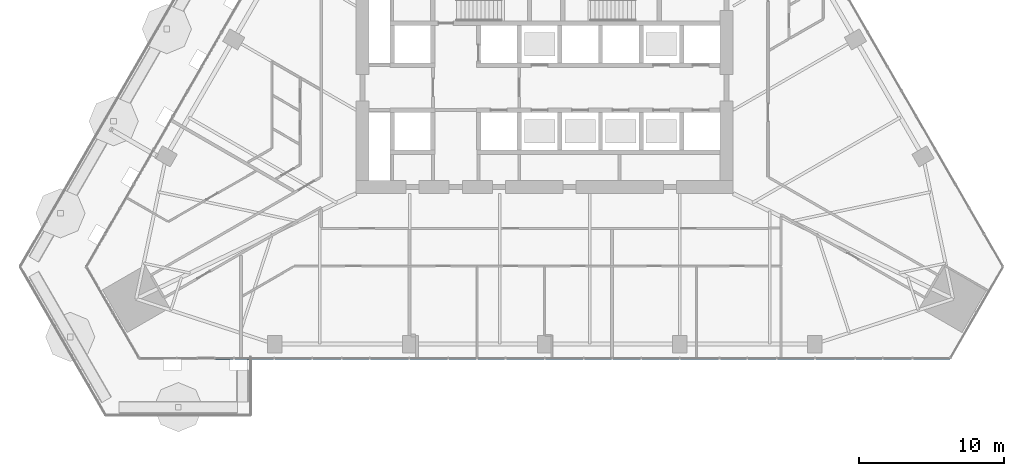
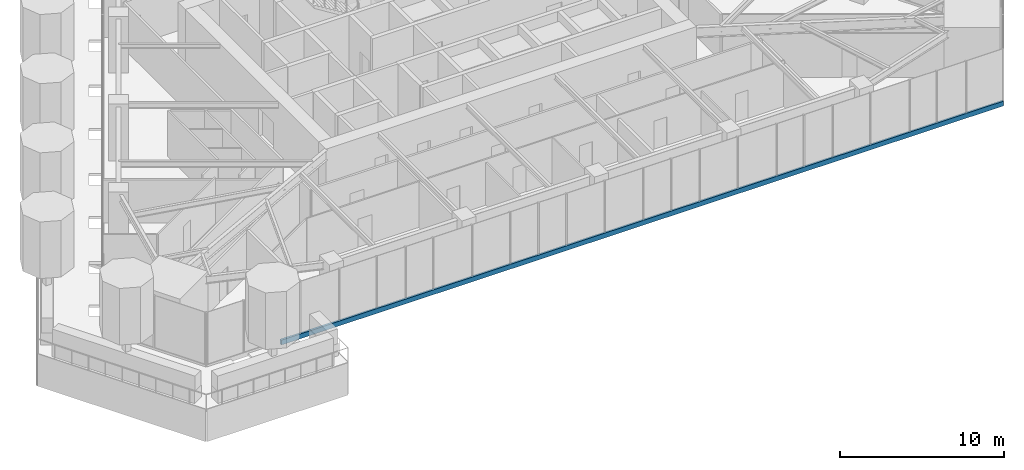
# One storey, part 4 of 25: 1 member, 1 element without a shape of its own.
"""IFC4 building model written with IfcOpenShell, lengths in metres."""

import ifcopenshell
import ifcopenshell.guid

model = None  # the IFC model being written
_history = None  # IfcOwnerHistory: only IFC2X3 demands one
_inside = {}  # id of a spatial element -> (the spatial element, [elements in it])
_under = {}  # id of a project, library or spatial element -> (it, [spatial elements below it])
_declared = {}  # id of a project -> (the project, [libraries it declares])
_typed = {}  # id of a type object -> (the type object, [elements of that type])
_made_of = {}  # id of a material, layer set ... -> (it, [elements and type objects made of it])


def new_model(schema):
    """Start an empty IFC model of exactly this schema.

    Asked for "IFC4X3", IfcOpenShell would pick the latest addendum, in which some entities
    have other attributes; the version numbers below select the first issue.
    IFC2X3 requires an IfcOwnerHistory on every rooted entity: one is made here for all.
    """
    global model, _history
    if schema == "IFC4X3":
        model = ifcopenshell.file(schema_version=(4, 3, 0, 0))
    else:
        model = ifcopenshell.file(schema=schema)
    _inside.clear()
    _under.clear()
    _declared.clear()
    _typed.clear()
    _made_of.clear()
    _history = None
    if model.schema == "IFC2X3":
        org = make("IfcOrganization", Name="unknown")
        user = make(
            "IfcPersonAndOrganization",
            ThePerson=make("IfcPerson", FamilyName="unknown"),
            TheOrganization=org,
        )
        app = make(
            "IfcApplication",
            ApplicationDeveloper=org,
            Version="unknown",
            ApplicationFullName="unknown",
            ApplicationIdentifier="unknown",
        )
        _history = make(
            "IfcOwnerHistory",
            OwningUser=user,
            OwningApplication=app,
            ChangeAction="ADDED",
            CreationDate=0,
        )
    return model


def make(cls, **values):
    """One entity of the class cls with the attributes given. An attribute that is None is left unset."""
    return model.create_entity(
        cls, **{name: value for name, value in values.items() if value is not None}
    )


def rooted(cls, **values):
    """An entity with a GlobalId (a new one), such as an element, a storey or a relation."""
    return make(cls, GlobalId=ifcopenshell.guid.new(), OwnerHistory=_history, **values)


def si_unit(unit_type, name, prefix=None):
    """IfcSIUnit, for example si_unit("LENGTHUNIT", "METRE", prefix="MILLI")."""
    return make("IfcSIUnit", UnitType=unit_type, Prefix=prefix, Name=name)


def assignment(units):
    """IfcUnitAssignment: the units of a project."""
    return None if units is None else make("IfcUnitAssignment", Units=units)


def point(xyz):
    """IfcCartesianPoint."""
    return None if xyz is None else make("IfcCartesianPoint", Coordinates=xyz)


def direction(xyz):
    """IfcDirection."""
    return None if xyz is None else make("IfcDirection", DirectionRatios=xyz)


def frame(location, z_axis=None, x_axis=None):
    """IfcAxis2Placement3D, a coordinate frame: its origin and axes. An axis left out is left unset."""
    return make(
        "IfcAxis2Placement3D",
        Location=point(location),
        Axis=direction(z_axis),
        RefDirection=direction(x_axis),
    )


def frame_2d(location, x_axis=None):
    """IfcAxis2Placement2D, a coordinate frame in the plane: its origin and x axis."""
    return make(
        "IfcAxis2Placement2D", Location=point(location), RefDirection=direction(x_axis)
    )


def origin():
    """The frame at (0, 0, 0) with its axes left unset."""
    return frame((0.0, 0.0, 0.0))


def origin_2d():
    """The frame at (0, 0) in the plane with its x axis left unset."""
    return frame_2d((0.0, 0.0))


def place(relative_to, where):
    """IfcLocalPlacement: puts the frame where relative to a parent placement (None: the world)."""
    return make(
        "IfcLocalPlacement", PlacementRelTo=relative_to, RelativePlacement=where
    )


def context(
    kind, dimensions, precision=None, world=None, true_north=None, identifier=None
):
    """IfcGeometricRepresentationContext, for example the 3D "Model" context."""
    return make(
        "IfcGeometricRepresentationContext",
        ContextIdentifier=identifier,
        ContextType=kind,
        CoordinateSpaceDimension=dimensions,
        Precision=precision,
        WorldCoordinateSystem=world,
        TrueNorth=true_north,
    )


def subcontext(parent, identifier, kind, view, scale=None):
    """IfcGeometricRepresentationSubContext, for example "Body" below "Model"."""
    return make(
        "IfcGeometricRepresentationSubContext",
        ContextIdentifier=identifier,
        ContextType=kind,
        ParentContext=parent,
        TargetScale=scale,
        TargetView=view,
    )


def project(units=None, contexts=None):
    """IfcProject with its units and contexts."""
    return rooted(
        "IfcProject",
        Name="project",
        RepresentationContexts=contexts,
        UnitsInContext=assignment(units),
    )


def spatial(cls, under=None, at=None, **own):
    """A site, building, storey or space (cls), placed at a placement, below another one or the project."""
    s = rooted(cls, ObjectPlacement=at, **own)
    if under is not None:
        _under.setdefault(under.id(), (under, []))[1].append(s)
    return s


def profile(cls, at=None, kind="AREA", **sizes):
    """A parametric profile (cls). Its sizes go by their IFC names, for example OverallWidth=200.0."""
    return make(cls, ProfileType=kind, Position=at, **sizes)


def rectangle(**sizes):
    """IfcRectangleProfileDef."""
    return profile("IfcRectangleProfileDef", **sizes)


def extrude(swept, where, along, depth):
    """IfcExtrudedAreaSolid: the profile swept, set in the frame where, extruded along a direction by depth."""
    return make(
        "IfcExtrudedAreaSolid",
        SweptArea=swept,
        Position=where,
        ExtrudedDirection=direction(along),
        Depth=depth,
    )


def shape(context_of_items, identifier, shape_type, items):
    """IfcShapeRepresentation: the items that make up one representation, for example the "Body"."""
    return make(
        "IfcShapeRepresentation",
        ContextOfItems=context_of_items,
        RepresentationIdentifier=identifier,
        RepresentationType=shape_type,
        Items=items,
    )


def material(Name=None, Category=None):
    """IfcMaterial."""
    return make("IfcMaterial", Name=Name, Category=Category)


def layer(
    of_material, thickness, ventilated=None, Name=None, Category=None, Priority=None
):
    """IfcMaterialLayer: one layer of a wall or slab, of a material (None: an air gap)."""
    return make(
        "IfcMaterialLayer",
        Material=of_material,
        LayerThickness=thickness,
        IsVentilated=ventilated,
        Name=Name,
        Category=Category,
        Priority=Priority,
    )


def layer_set(layers, Name=None):
    """IfcMaterialLayerSet."""
    return make("IfcMaterialLayerSet", MaterialLayers=layers, LayerSetName=Name)


def material_profile(
    of_material, cross_section, Name=None, Category=None, Priority=None
):
    """IfcMaterialProfile: a cross section and its material."""
    return make(
        "IfcMaterialProfile",
        Name=Name,
        Material=of_material,
        Profile=cross_section,
        Priority=Priority,
        Category=Category,
    )


def profile_set(profiles, Name=None, composite=None):
    """IfcMaterialProfileSet."""
    return make(
        "IfcMaterialProfileSet",
        Name=Name,
        MaterialProfiles=profiles,
        CompositeProfile=composite,
    )


def made_of(thing, what):
    """Note that an element or type object is made of a material, layer set ...; save() writes the relation."""
    if what is not None:
        _made_of.setdefault(what.id(), (what, []))[1].append(thing)
    return thing


def type_object(cls, material=None, **own):
    """A type object (cls), such as IfcWallType, which elements share."""
    return made_of(rooted(cls, **own), material)


def element(
    cls,
    number,
    at=None,
    inside=None,
    cuts=None,
    type_object=None,
    material=None,
    context=None,
    identifier="Body",
    shape_type=None,
    held_by="IfcProductDefinitionShape",
    body=None,
    shapes=None,
    **own,
):
    """One element of the class cls, such as IfcWall. Its Tag is "e" and its number.

    at: its placement. inside: the storey or other place that contains it. cuts: it is an
    opening in that element (IfcRelVoidsElement). A single representation is given by context,
    identifier, shape_type and body (its items); several are given by shapes. held_by: the class
    of the entity that holds the representations. save() writes the other relations.
    """
    e = rooted(cls, Tag="e%d" % number, ObjectPlacement=at, **own)
    if body is not None:
        shapes = [shape(context, identifier, shape_type, body)]
    if shapes is not None:
        e.Representation = make(held_by, Representations=shapes)
    if inside is not None:
        _inside.setdefault(inside.id(), (inside, []))[1].append(e)
    if cuts is not None:
        rooted(
            "IfcRelVoidsElement", RelatingBuildingElement=cuts, RelatedOpeningElement=e
        )
    if type_object is not None:
        _typed.setdefault(type_object.id(), (type_object, []))[1].append(e)
    return made_of(e, material)


def aggregate(whole, parts):
    """IfcRelAggregates: a whole, such as a stair, and the parts it consists of."""
    return rooted("IfcRelAggregates", RelatingObject=whole, RelatedObjects=parts)


def save(model, path):
    """Write the relations noted so far, then the file.

    IfcRelAggregates (storeys below a building ...), IfcRelContainedInSpatialStructure (elements
    in a storey), IfcRelDefinesByType, IfcRelAssociatesMaterial and IfcRelDeclares: one each for
    every whole, place, type object, material and project.
    """
    for whole, parts in _under.values():
        aggregate(whole, parts)
    for where, things in _inside.values():
        rooted(
            "IfcRelContainedInSpatialStructure",
            RelatedElements=things,
            RelatingStructure=where,
        )
    for kind, things in _typed.values():
        rooted("IfcRelDefinesByType", RelatedObjects=things, RelatingType=kind)
    for what, things in _made_of.values():
        rooted("IfcRelAssociatesMaterial", RelatedObjects=things, RelatingMaterial=what)
    for by, libraries in _declared.values():
        rooted("IfcRelDeclares", RelatingContext=by, RelatedDefinitions=libraries)
    model.write(path)


model = new_model("IFC4")

# Units and contexts
model_context = context("Model", 3, precision=1e-05, world=origin(), true_north=direction((0.0, 1.0)))
body_context = subcontext(model_context, "Body", "Model", "MODEL_VIEW")
ifc_project = project(units=[si_unit("LENGTHUNIT", "METRE"), si_unit("AREAUNIT", "SQUARE_METRE"), si_unit("VOLUMEUNIT", "CUBIC_METRE"), si_unit("PLANEANGLEUNIT", "RADIAN"), si_unit("MASSUNIT", "GRAM", prefix="KILO")], contexts=[model_context])

# Site, building, storey
site_placement = place(None, origin())
site = spatial("IfcSite", under=ifc_project, at=site_placement, CompositionType="ELEMENT")
building_placement = place(site_placement, origin())
building = spatial("IfcBuilding", under=site, at=building_placement, Name="Firuza Gate Tower and Library", CompositionType="ELEMENT")
storey_placement = place(building_placement, frame((0.0, 0.0, 119.800048828125)))
storey = spatial("IfcBuildingStorey", under=building, at=storey_placement, Name="L27", CompositionType="ELEMENT", Elevation=119.800048828125)

# Curtain wall, member
ifc_material_1 = material(Name="Aluminium 6063-T6", Category="aluminium")
ifc_layer = layer(ifc_material_1, 0.14990234375)
ifc_layer_set = layer_set([ifc_layer], Name="Unitised curtain wall, offices")
curtain_wall_type = type_object("IfcCurtainWallType", Name="Unitised curtain wall, offices", PredefinedType="NOTDEFINED", material=ifc_layer_set)
curtain_wall_placement = place(storey_placement, origin())
curtain_wall = element("IfcCurtainWall", 1, at=curtain_wall_placement, inside=storey, type_object=curtain_wall_type, Name="CW1 L27 S face", PredefinedType="NOTDEFINED")
ifc_material_2 = material(Name="Aluminium 6063-T6", Category="aluminium")
ifc_material_profile = material_profile(ifc_material_2, rectangle(XDim=0.14990234375, YDim=0.35009765625, at=origin_2d()))
ifc_profile_set = profile_set([ifc_material_profile], Name="Aluminium 6063-T6")
member_type = type_object("IfcMemberType", Name="Curtain wall transom 350x150", PredefinedType="USERDEFINED", material=ifc_profile_set)
member_placement = place(storey_placement, frame((52.261474609375, 54.6513671875, -0.025146484375), z_axis=(1.0, 0.0, 0.0), x_axis=(0.0, 1.0, 0.0)))
member = element("IfcMember", 2, at=member_placement, type_object=member_type, Name="Transom", ObjectType="TRANSOM", PredefinedType="USERDEFINED", context=body_context, shape_type="SweptSolid", body=[
    extrude(rectangle(XDim=0.14990234375, YDim=0.35009765625, at=origin_2d()), origin(), (0.0, 0.0, 1.0), 50.697021484375),
])
aggregate(curtain_wall, [member])

save(model, "model.ifc")
